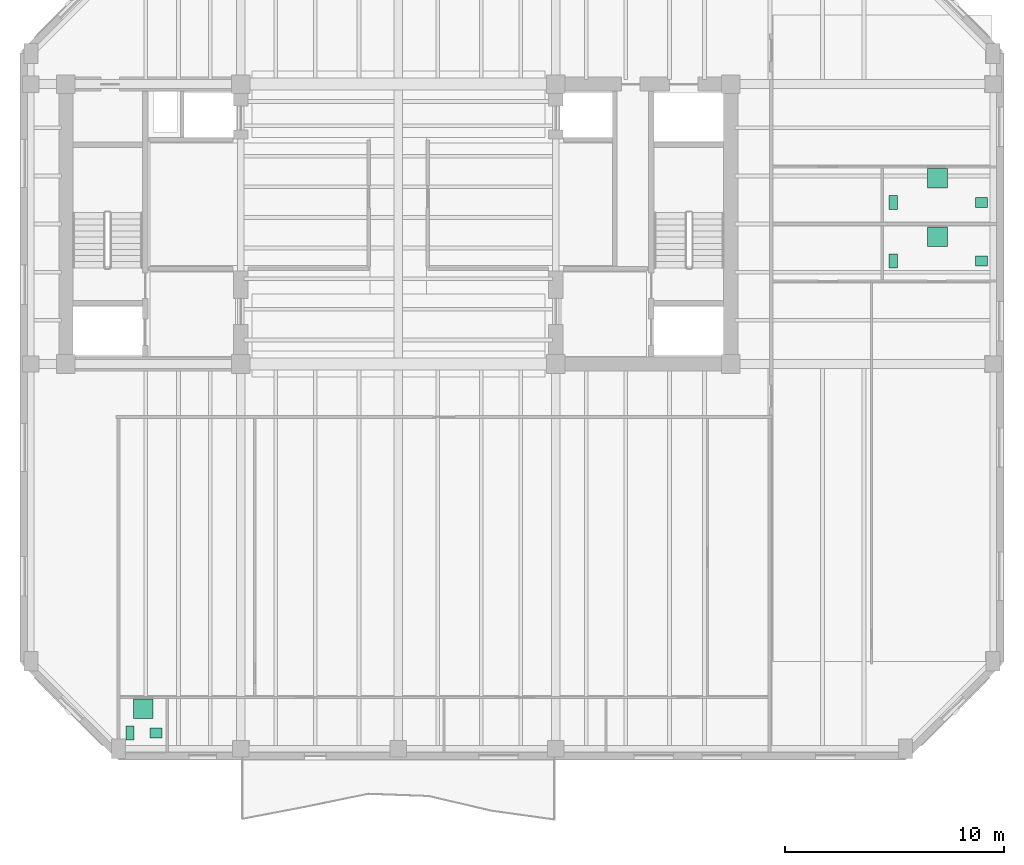
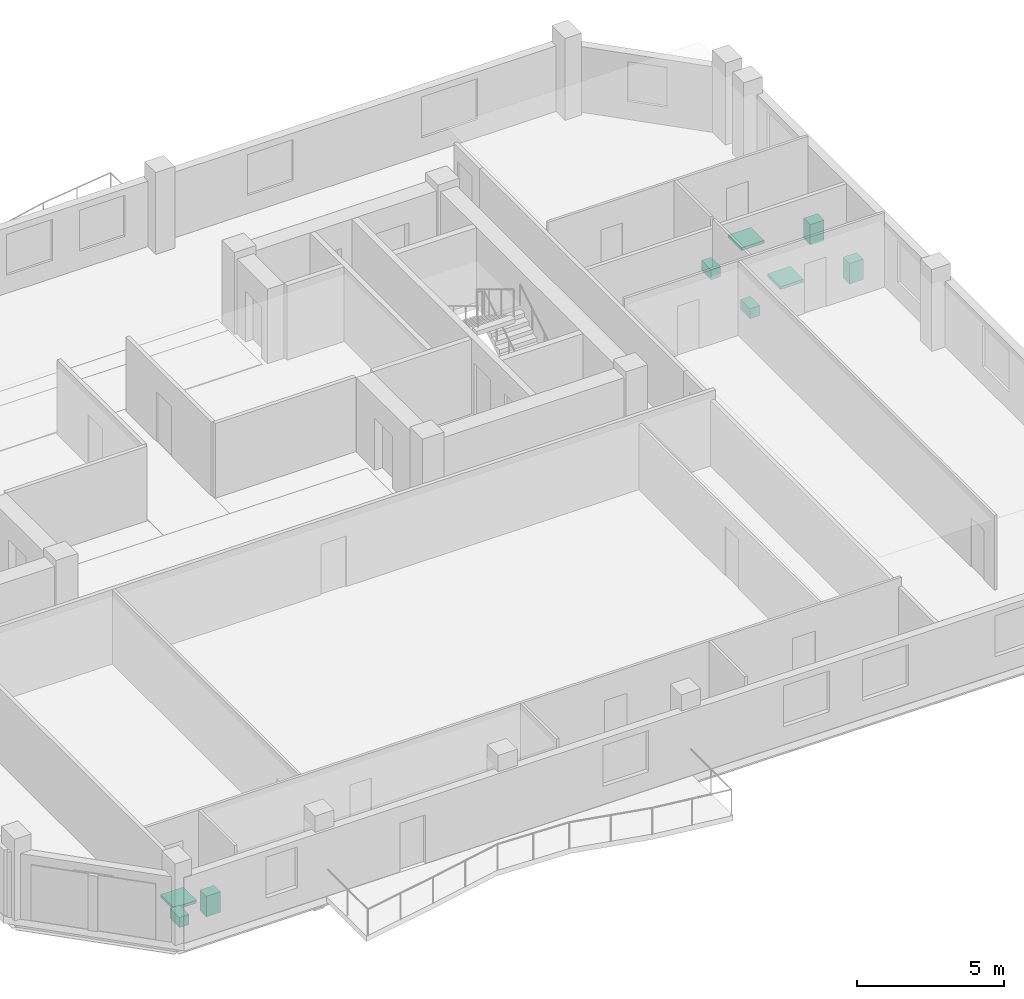
# One storey, part 9 of 9: 9 sanitary terminals.
"""IFC4 building model written with IfcOpenShell, lengths in metres."""

from ifc_helpers import new_model, si_unit, direction, frame, origin, origin_2d, place, context, subcontext, project, spatial, rectangle, extrude, material, type_object, element, save


model = new_model("IFC4")

# Units and contexts
model_context = context("Model", 3, precision=1e-05, world=origin(), true_north=direction((0.0, 1.0)))
body_context = subcontext(model_context, "Body", "Model", "MODEL_VIEW")
ifc_project = project(units=[si_unit("LENGTHUNIT", "METRE"), si_unit("AREAUNIT", "SQUARE_METRE"), si_unit("VOLUMEUNIT", "CUBIC_METRE"), si_unit("PLANEANGLEUNIT", "RADIAN"), si_unit("MASSUNIT", "GRAM", prefix="KILO")], contexts=[model_context])

# Site, building, storey
site_placement = place(None, origin())
site = spatial("IfcSite", under=ifc_project, at=site_placement, CompositionType="ELEMENT")
building_placement = place(site_placement, origin())
building = spatial("IfcBuilding", under=site, at=building_placement, Name="Kranthara Brick Stack", CompositionType="ELEMENT")
storey_placement = place(building_placement, frame((0.0, 0.0, 241.5)))
storey = spatial("IfcBuildingStorey", under=building, at=storey_placement, Name="L63", CompositionType="ELEMENT", Elevation=241.5)

# Sanitary terminals
ifc_material_1 = material(Name="Vitreous china sanitary porcelain", Category="other")
sanitary_terminal_type_1 = type_object("IfcSanitaryTerminalType", Name="SAN-BASIN", PredefinedType="WASHHANDBASIN", material=ifc_material_1)
for number, where, z_axis, x_axis, name in (
    (1, (16.929931640625, 3.925048828125, 0.0), (0.0, 0.0, 1.0), (1.0, 0.0, 0.0), "L63 Washbasin 337"),
    (2, (54.679931640625, 25.514892578125, 0.0), (0.0, 0.0, 1.0), (1.0, 0.0, 0.0), "L63 Washbasin 338"),
    (3, (54.679931640625, 28.18505859375, 0.0), (0.0, 0.0, 1.0), (1.0, 0.0, 0.0), "L63 Washbasin 339"),
):
    element("IfcSanitaryTerminal", number, at=place(storey_placement, frame(where, z_axis=z_axis, x_axis=x_axis)), inside=storey, type_object=sanitary_terminal_type_1, Name=name, PredefinedType="WASHHANDBASIN", context=body_context, shape_type="SweptSolid", body=[
        extrude(rectangle(XDim=0.550048828125, YDim=0.449951171875, at=origin_2d()), origin(), (0.0, 0.0, 1.0), 0.85009765625),
    ])
ifc_material_2 = material(Name="Acrylic and porcelain shower tray", Category="other")
sanitary_terminal_type_2 = type_object("IfcSanitaryTerminalType", Name="SAN-SHOWER", PredefinedType="SHOWER", material=ifc_material_2)
for number, where, z_axis, x_axis, name in (
    (4, (16.330078125, 5.030029296875, 0.0), (0.0, 0.0, 1.0), (1.0, 0.0, 0.0), "L63 Shower Tray 337"),
    (5, (52.656982421875, 26.6201171875, 0.0), (0.0, 0.0, 1.0), (1.0, 0.0, 0.0), "L63 Shower Tray 338"),
    (6, (52.656982421875, 29.2900390625, 0.0), (0.0, 0.0, 1.0), (1.0, 0.0, 0.0), "L63 Shower Tray 339"),
):
    element("IfcSanitaryTerminal", number, at=place(storey_placement, frame(where, z_axis=z_axis, x_axis=x_axis)), inside=storey, type_object=sanitary_terminal_type_2, Name=name, PredefinedType="SHOWER", context=body_context, shape_type="SweptSolid", body=[
        extrude(rectangle(XDim=0.89990234375, YDim=0.89990234375, at=origin_2d()), origin(), (0.0, 0.0, 1.0), 0.1201171875),
    ])
ifc_material_3 = material(Name="Vitreous china sanitary porcelain", Category="other")
sanitary_terminal_type_3 = type_object("IfcSanitaryTerminalType", Name="SAN-WC-PAN", PredefinedType="TOILETPAN", material=ifc_material_3)
for number, where, z_axis, x_axis, name in (
    (7, (15.72998046875, 3.925048828125, 0.0), (0.0, 0.0, 1.0), (1.0, 0.0, 0.0), "L63 WC Pan 337"),
    (8, (50.635009765625, 25.514892578125, 0.0), (0.0, 0.0, 1.0), (1.0, 0.0, 0.0), "L63 WC Pan 338"),
    (9, (50.635009765625, 28.18505859375, 0.0), (0.0, 0.0, 1.0), (1.0, 0.0, 0.0), "L63 WC Pan 339"),
):
    element("IfcSanitaryTerminal", number, at=place(storey_placement, frame(where, z_axis=z_axis, x_axis=x_axis)), inside=storey, type_object=sanitary_terminal_type_3, Name=name, PredefinedType="TOILETPAN", context=body_context, shape_type="SweptSolid", body=[
        extrude(rectangle(XDim=0.3798828125, YDim=0.64990234375, at=origin_2d()), origin(), (0.0, 0.0, 1.0), 0.419921875),
    ])

save(model, "model.ifc")
